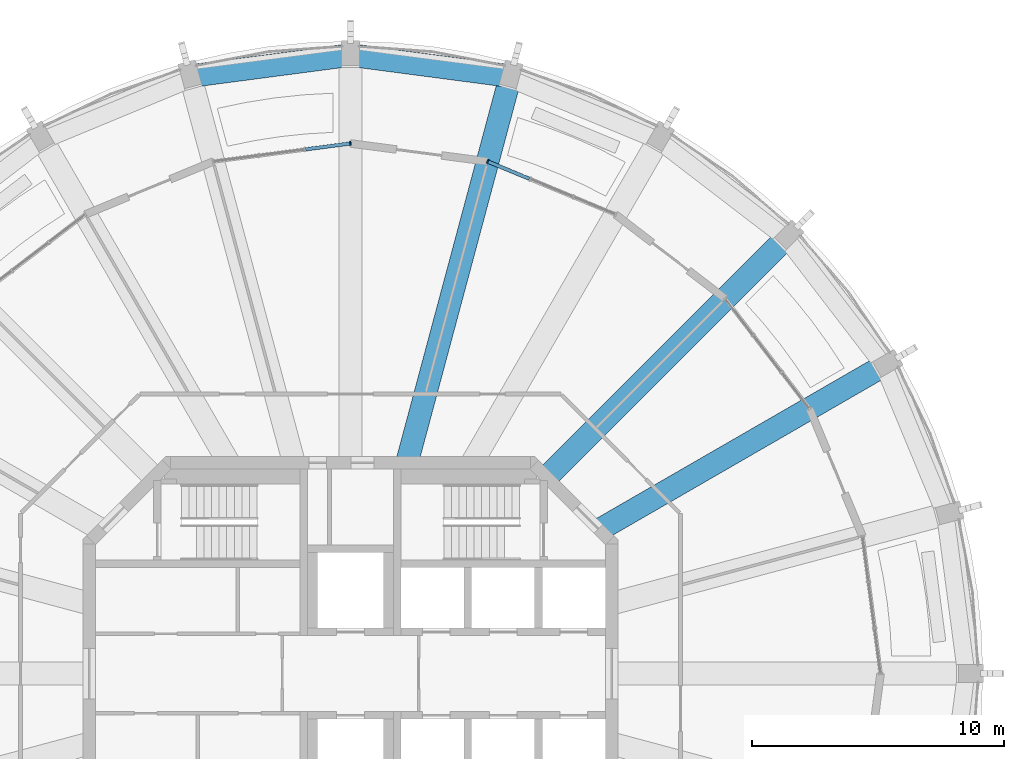
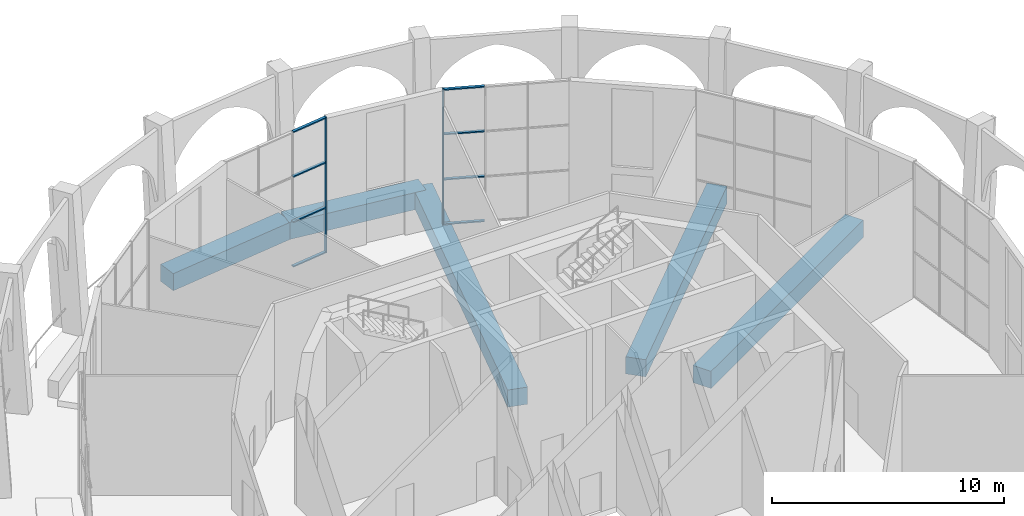
# One storey, part 6 of 17: 10 members, 5 beams, 2 elements without a shape of their own.
"""IFC4 building model written with IfcOpenShell, lengths in metres."""

from ifc_helpers import new_model, si_unit, direction, frame, origin, origin_2d, place, context, subcontext, project, spatial, rectangle, extrude, material, material_profile, profile_set, type_object, element, aggregate, save


model = new_model("IFC4")

# Units and contexts
model_context = context("Model", 3, precision=1e-05, world=origin(), true_north=direction((0.0, 1.0)))
body_context = subcontext(model_context, "Body", "Model", "MODEL_VIEW")
ifc_project = project(units=[si_unit("LENGTHUNIT", "METRE"), si_unit("AREAUNIT", "SQUARE_METRE"), si_unit("VOLUMEUNIT", "CUBIC_METRE"), si_unit("PLANEANGLEUNIT", "RADIAN"), si_unit("MASSUNIT", "GRAM", prefix="KILO")], contexts=[model_context])

# Site, building, storey
site_placement = place(None, origin())
site = spatial("IfcSite", under=ifc_project, at=site_placement, CompositionType="ELEMENT")
building_placement = place(site_placement, origin())
building = spatial("IfcBuilding", under=site, at=building_placement, Name="Torre Triforio", CompositionType="ELEMENT")
storey_placement = place(building_placement, frame((0.0, 0.0, 276.0)))
storey = spatial("IfcBuildingStorey", under=building, at=storey_placement, Name="L64", CompositionType="ELEMENT", Elevation=276.0)

# Curtain wall, member
ifc_material_1 = material(Name="Aluminium mullion and transom frame with clear laminated glass", Category="aluminium")
curtain_wall_type = type_object("IfcCurtainWallType", Name="Sky garden conservatory wall ECW3", PredefinedType="NOTDEFINED", material=ifc_material_1)
curtain_wall_1_placement = place(storey_placement, origin())
curtain_wall_1 = element("IfcCurtainWall", 1, at=curtain_wall_1_placement, inside=storey, type_object=curtain_wall_type, Name="Conservatory wall L64 bay 05", PredefinedType="NOTDEFINED")
ifc_material_2 = material(Name="Anodised aluminium extrusion", Category="aluminium")
ifc_material_profile_1 = material_profile(ifc_material_2, rectangle(XDim=0.159912109375, YDim=0.06005859375, at=origin_2d()), Name="ECW3 MULLION 60x160")
ifc_profile_set_1 = profile_set([ifc_material_profile_1], Name="Anodised aluminium extrusion")
member_type_1 = type_object("IfcMemberType", Name="ECW3 mullion 60 x 160", PredefinedType="MULLION", material=ifc_profile_set_1)
member_1_placement = place(storey_placement, frame((5.435302734375, 20.284423828125, 0.0), z_axis=(0.0, 0.0, 1.0), x_axis=(-0.382674764107, -0.923883122974, 0.0)))
member_1 = element("IfcMember", 2, at=member_1_placement, type_object=member_type_1, Name="ECW3 mullion 4", PredefinedType="MULLION", context=body_context, shape_type="SweptSolid", body=[
    extrude(rectangle(XDim=0.159912109375, YDim=0.06005859375, at=origin_2d()), origin(), (0.0, 0.0, 1.0), 7.1201171875),
])

curtain_wall_2_placement = place(storey_placement, origin())
curtain_wall_2 = element("IfcCurtainWall", 3, at=curtain_wall_2_placement, inside=storey, type_object=curtain_wall_type, Name="Conservatory wall L64 bay 07", PredefinedType="NOTDEFINED")
member_2_placement = place(storey_placement, frame((0.0, 21.0, 0.0), z_axis=(0.0, 0.0, 1.0), x_axis=(0.130530127386, -0.991444343291, 0.0)))
member_2 = element("IfcMember", 4, at=member_2_placement, type_object=member_type_1, Name="ECW3 mullion 1", PredefinedType="MULLION", context=body_context, shape_type="SweptSolid", body=[
    extrude(rectangle(XDim=0.159912109375, YDim=0.06005859375, at=origin_2d()), origin(), (0.0, 0.0, 1.0), 7.1201171875),
])

# Member
ifc_material_profile_2 = material_profile(ifc_material_2, rectangle(XDim=0.139892578125, YDim=0.06005859375, at=origin_2d()), Name="ECW3 TRANSOM 60x140")
ifc_profile_set_2 = profile_set([ifc_material_profile_2], Name="Anodised aluminium extrusion")
member_type_2 = type_object("IfcMemberType", Name="ECW3 transom 60 x 140", PredefinedType="USERDEFINED", material=ifc_profile_set_2)
member_3_placement = place(storey_placement, frame((7.08642578125, 19.600341796875, 0.030029296875), z_axis=(-0.923855963606, 0.38274032778, 0.0), x_axis=(-0.38274032778, -0.923855963606, 0.0)))
member_3 = element("IfcMember", 5, at=member_3_placement, type_object=member_type_2, Name="ECW3 transom 3.1", ObjectType="TRANSOM", PredefinedType="USERDEFINED", context=body_context, shape_type="SweptSolid", body=[
    extrude(rectangle(XDim=0.139892578125, YDim=0.06005859375, at=origin_2d()), origin(), (0.0, 0.0, 1.0), 1.75732421875),
])

member_4_placement = place(storey_placement, frame((7.08642578125, 19.600341796875, 2.373291015625), z_axis=(-0.923855963606, 0.38274032778, 0.0), x_axis=(-0.38274032778, -0.923855963606, 0.0)))
member_4 = element("IfcMember", 6, at=member_4_placement, type_object=member_type_2, Name="ECW3 transom 3.2", ObjectType="TRANSOM", PredefinedType="USERDEFINED", context=body_context, shape_type="SweptSolid", body=[
    extrude(rectangle(XDim=0.139892578125, YDim=0.06005859375, at=origin_2d()), origin(), (0.0, 0.0, 1.0), 1.75732421875),
])

member_5_placement = place(storey_placement, frame((7.08642578125, 19.600341796875, 4.74658203125), z_axis=(-0.923855963606, 0.38274032778, 0.0), x_axis=(-0.38274032778, -0.923855963606, 0.0)))
member_5 = element("IfcMember", 7, at=member_5_placement, type_object=member_type_2, Name="ECW3 transom 3.3", ObjectType="TRANSOM", PredefinedType="USERDEFINED", context=body_context, shape_type="SweptSolid", body=[
    extrude(rectangle(XDim=0.139892578125, YDim=0.06005859375, at=origin_2d()), origin(), (0.0, 0.0, 1.0), 1.75732421875),
])

member_6_placement = place(storey_placement, frame((7.08642578125, 19.600341796875, 7.090087890625), z_axis=(-0.923855963606, 0.38274032778, 0.0), x_axis=(-0.38274032778, -0.923855963606, 0.0)))
member_6 = element("IfcMember", 8, at=member_6_placement, type_object=member_type_2, Name="ECW3 transom 3.4", ObjectType="TRANSOM", PredefinedType="USERDEFINED", context=body_context, shape_type="SweptSolid", body=[
    extrude(rectangle(XDim=0.139892578125, YDim=0.06005859375, at=origin_2d()), origin(), (0.0, 0.0, 1.0), 1.75732421875),
])

aggregate(curtain_wall_1, [member_1, member_3, member_4, member_5, member_6])

member_7_placement = place(storey_placement, frame((-0.02978515625, 20.99609375, 0.030029296875), z_axis=(-0.991435369623, -0.130598268981, 0.0), x_axis=(0.130598268981, -0.991435369623, 0.0)))
member_7 = element("IfcMember", 9, at=member_7_placement, type_object=member_type_2, Name="ECW3 transom 1.1", ObjectType="TRANSOM", PredefinedType="USERDEFINED", context=body_context, shape_type="SweptSolid", body=[
    extrude(rectangle(XDim=0.139892578125, YDim=0.06005859375, at=origin_2d()), origin(), (0.0, 0.0, 1.0), 1.75732421875),
])

member_8_placement = place(storey_placement, frame((-0.02978515625, 20.99609375, 2.373291015625), z_axis=(-0.991435369623, -0.130598268981, 0.0), x_axis=(0.130598268981, -0.991435369623, 0.0)))
member_8 = element("IfcMember", 10, at=member_8_placement, type_object=member_type_2, Name="ECW3 transom 1.2", ObjectType="TRANSOM", PredefinedType="USERDEFINED", context=body_context, shape_type="SweptSolid", body=[
    extrude(rectangle(XDim=0.139892578125, YDim=0.06005859375, at=origin_2d()), origin(), (0.0, 0.0, 1.0), 1.75732421875),
])

member_9_placement = place(storey_placement, frame((-0.02978515625, 20.99609375, 4.74658203125), z_axis=(-0.991435369623, -0.130598268981, 0.0), x_axis=(0.130598268981, -0.991435369623, 0.0)))
member_9 = element("IfcMember", 11, at=member_9_placement, type_object=member_type_2, Name="ECW3 transom 1.3", ObjectType="TRANSOM", PredefinedType="USERDEFINED", context=body_context, shape_type="SweptSolid", body=[
    extrude(rectangle(XDim=0.139892578125, YDim=0.06005859375, at=origin_2d()), origin(), (0.0, 0.0, 1.0), 1.75732421875),
])

member_10_placement = place(storey_placement, frame((-0.02978515625, 20.99609375, 7.090087890625), z_axis=(-0.991435369623, -0.130598268981, 0.0), x_axis=(0.130598268981, -0.991435369623, 0.0)))
member_10 = element("IfcMember", 12, at=member_10_placement, type_object=member_type_2, Name="ECW3 transom 1.4", ObjectType="TRANSOM", PredefinedType="USERDEFINED", context=body_context, shape_type="SweptSolid", body=[
    extrude(rectangle(XDim=0.139892578125, YDim=0.06005859375, at=origin_2d()), origin(), (0.0, 0.0, 1.0), 1.75732421875),
])

aggregate(curtain_wall_2, [member_2, member_7, member_8, member_9, member_10])

# Beams
ifc_material_3 = material(Name="Concrete C40", Category="concrete")
ifc_material_profile_3 = material_profile(ifc_material_3, rectangle(XDim=0.89990234375, YDim=0.89990234375, at=origin_2d()), Name="RC 900x900")
ifc_profile_set_3 = profile_set([ifc_material_profile_3], Name="Concrete C40")
beam_type_1 = type_object("IfcBeamType", Name="Radial beam RC 900x900 C40", PredefinedType="BEAM", material=ifc_profile_set_3)
beam_1_placement = place(storey_placement, frame((9.860595703125, 5.693115234375, -0.72998046875), z_axis=(0.866026853401, 0.499997489182, 0.0), x_axis=(-0.499997489182, 0.866026853401, 0.0)))
element("IfcBeam", 13, at=beam_1_placement, inside=storey, type_object=beam_type_1, Name="BM.R.L64.02", PredefinedType="BEAM", context=body_context, shape_type="SweptSolid", body=[
    extrude(rectangle(XDim=0.89990234375, YDim=0.89990234375, at=origin_2d()), origin(), (0.0, 0.0, 1.0), 13.11376953125),
])
beam_2_placement = place(storey_placement, frame((7.77685546875, 7.77685546875, -0.72998046875), z_axis=(0.707106781187, 0.707106781187, 0.0), x_axis=(-0.707106781187, 0.707106781187, 0.0)))
element("IfcBeam", 14, at=beam_2_placement, inside=storey, type_object=beam_type_1, Name="BM.R.L64.03", PredefinedType="BEAM", context=body_context, shape_type="SweptSolid", body=[
    extrude(rectangle(XDim=0.89990234375, YDim=0.89990234375, at=origin_2d()), origin(), (0.0, 0.0, 1.0), 13.501953125),
])
beam_3_placement = place(storey_placement, frame((2.2373046875, 8.35009765625, -0.72998046875), z_axis=(0.258823056343, 0.965924751471, 0.0), x_axis=(-0.965924751471, 0.258823056343, 0.0)))
element("IfcBeam", 15, at=beam_3_placement, inside=storey, type_object=beam_type_1, Name="BM.R.L64.05", PredefinedType="BEAM", context=body_context, shape_type="SweptSolid", body=[
    extrude(rectangle(XDim=0.89990234375, YDim=0.89990234375, at=origin_2d()), origin(), (0.0, 0.0, 1.0), 15.85546875),
])
ifc_material_profile_4 = material_profile(ifc_material_3, rectangle(XDim=0.89990234375, YDim=0.89990234375, at=origin_2d()), Name="RC 900x900")
ifc_profile_set_4 = profile_set([ifc_material_profile_4], Name="Concrete C40")
beam_type_2 = type_object("IfcBeamType", Name="Spandrel beam RC 900x900 C40", PredefinedType="SPANDREL", material=ifc_profile_set_4)
for number, where, z_axis, x_axis, name in (
    (16, (6.341064453125, 23.665283203125, -0.72998046875), (-0.991446888172, 0.130510796237, 0.0), (-0.130510796237, -0.991446888172, 0.0), "BM.S.L64.05"),
    (17, (0.0, 24.5, -0.72998046875), (-0.991446888172, -0.130510796237, 0.0), (0.130510796237, -0.991446888172, 0.0), "BM.S.L64.06"),
):
    element("IfcBeam", number, at=place(storey_placement, frame(where, z_axis=z_axis, x_axis=x_axis)), inside=storey, type_object=beam_type_2, Name=name, PredefinedType="SPANDREL", context=body_context, shape_type="SweptSolid", body=[
        extrude(rectangle(XDim=0.89990234375, YDim=0.89990234375, at=origin_2d()), origin(), (0.0, 0.0, 1.0), 6.395751953125),
    ])

save(model, "model.ifc")
